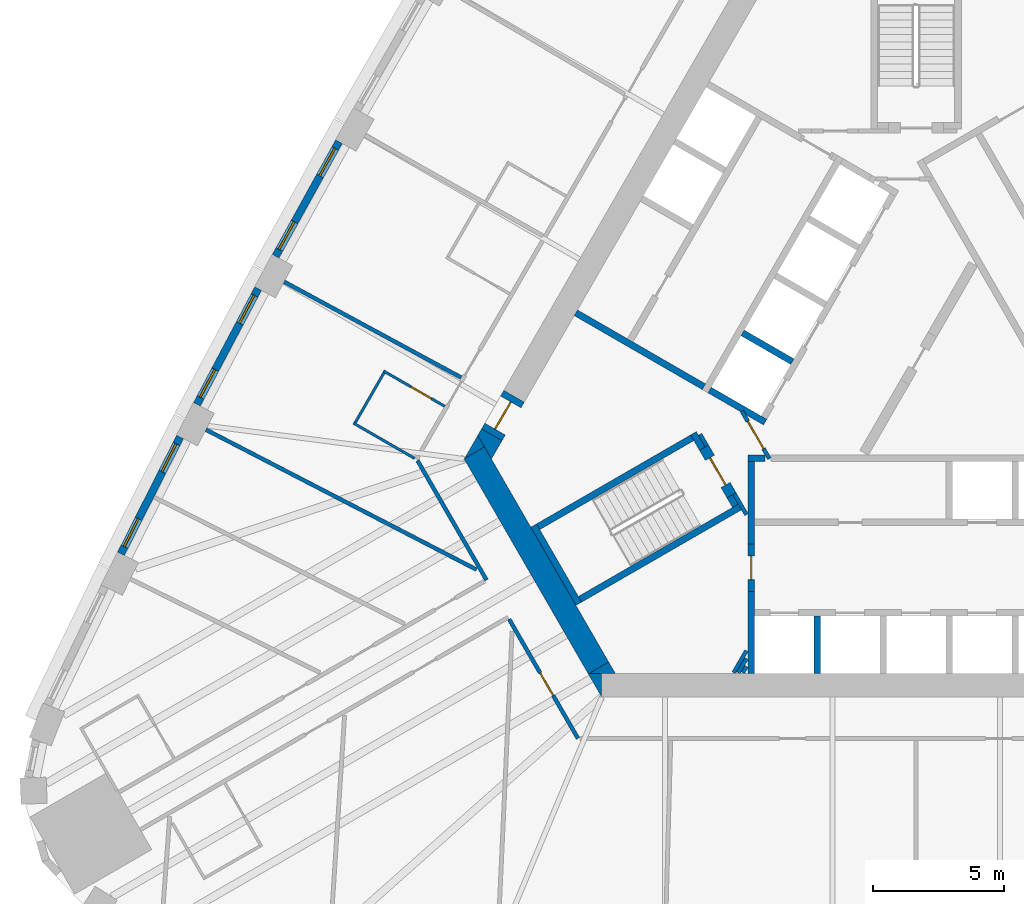
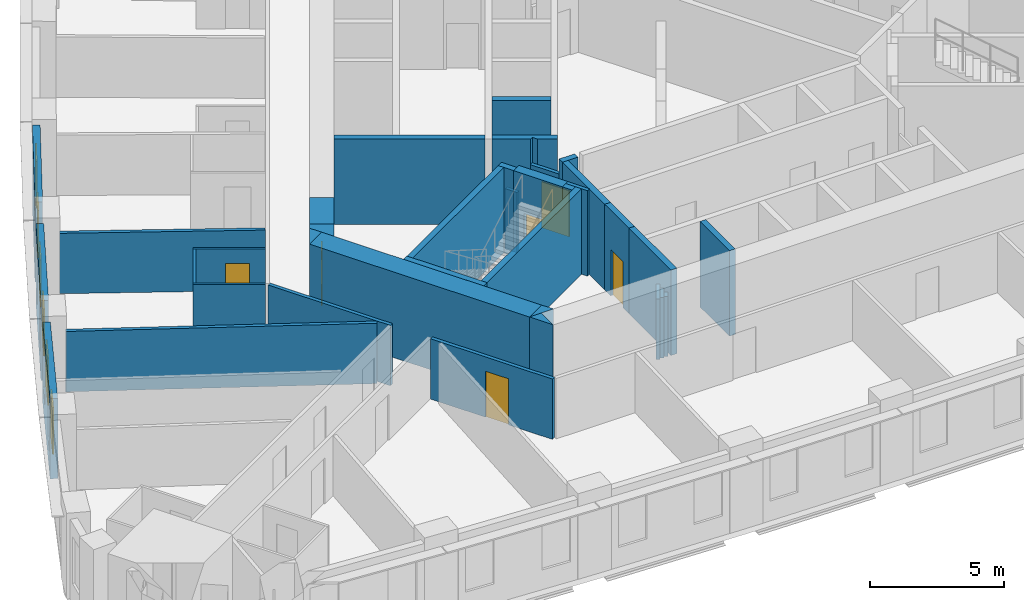
# One storey, part 4 of 12: 36 walls, 6 doors, 6 windows, 12 openings.
"""IFC4 building model written with IfcOpenShell, lengths in metres."""

from ifc_helpers import new_model, si_unit, direction, frame, frame_2d, origin, place, context, subcontext, project, spatial, polyline, rectangle, outline, extrude, material, layer, layer_set, type_object, element, fill, save


model = new_model("IFC4")

# Units and contexts
model_context = context("Model", 3, precision=1e-05, world=origin(), true_north=direction((0.0, 1.0)))
body_context = subcontext(model_context, "Body", "Model", "MODEL_VIEW")
ifc_project = project(units=[si_unit("LENGTHUNIT", "METRE"), si_unit("AREAUNIT", "SQUARE_METRE"), si_unit("VOLUMEUNIT", "CUBIC_METRE"), si_unit("PLANEANGLEUNIT", "RADIAN"), si_unit("MASSUNIT", "GRAM", prefix="KILO")], contexts=[model_context])

# Site, building, storey
site_placement = place(None, origin())
site = spatial("IfcSite", under=ifc_project, at=site_placement, CompositionType="ELEMENT")
building_placement = place(site_placement, origin())
building = spatial("IfcBuilding", under=site, at=building_placement, Name="Mestral Congress Tower", CompositionType="ELEMENT")
storey_placement = place(building_placement, frame((0.0, 0.0, 39.300048828125)))
storey = spatial("IfcBuildingStorey", under=building, at=storey_placement, Name="L08", CompositionType="ELEMENT", Elevation=39.300048828125)

# Walls
ifc_material_1 = material(Name="Fire-rated board partition")
ifc_layer_1 = layer(ifc_material_1, 0.14990234375)
ifc_layer_set_1 = layer_set([ifc_layer_1], Name="Fire-rated board partition")
wall_type_1 = type_object("IfcWallType", Name="Core partition 150", PredefinedType="PARTITIONING", material=ifc_layer_set_1)
wall_1_placement = place(storey_placement, frame((-6.967529296875, -12.068115234375, 0.0), z_axis=(0.0, 0.0, 1.0), x_axis=(0.49998975084, 0.866031321059, 0.0)))
element("IfcWall", 1, at=wall_1_placement, inside=storey, type_object=wall_type_1, Name="L08 core wall", PredefinedType="PARTITIONING", context=body_context, shape_type="SweptSolid", body=[
    extrude(rectangle(XDim=0.97509765625, YDim=0.14990234375, at=frame_2d((0.487548828125, 0.0))), origin(), (0.0, 0.0, 1.0), 2.75),
])
wall_2_placement = place(storey_placement, frame((-6.794189453125, -12.068115234375, 0.0), z_axis=(0.0, 0.0, 1.0), x_axis=(0.49985693963, 0.866107983974, 0.0)))
element("IfcWall", 2, at=wall_2_placement, inside=storey, type_object=wall_type_1, Name="L08 core wall", PredefinedType="PARTITIONING", context=body_context, shape_type="SweptSolid", body=[
    extrude(rectangle(XDim=0.628662109375, YDim=0.14990234375, at=frame_2d((0.314453125, 0.0))), origin(), (0.0, 0.0, 1.0), 2.75),
])
wall_3_placement = place(storey_placement, frame((-6.62109375, -12.068115234375, 0.0), z_axis=(0.0, 0.0, 1.0), x_axis=(0.500046963369, 0.865998287773, 0.0)))
element("IfcWall", 3, at=wall_3_placement, inside=storey, type_object=wall_type_1, Name="L08 core wall", PredefinedType="PARTITIONING", context=body_context, shape_type="SweptSolid", body=[
    extrude(rectangle(XDim=0.2822265625, YDim=0.14990234375, at=frame_2d((0.14111328125, 0.0))), origin(), (0.0, 0.0, 1.0), 2.75),
])
wall_4_placement = place(storey_placement, frame((-8.251953125, -2.958251953125, 0.0), z_axis=(0.0, 0.0, 1.0), x_axis=(0.500174715838, -0.865924508047, 0.0)))
element("IfcWall", 4, at=wall_4_placement, inside=storey, type_object=wall_type_1, Name="L08 core wall", PredefinedType="PARTITIONING", context=body_context, shape_type="SweptSolid", body=[
    extrude(rectangle(XDim=0.513916015625, YDim=0.14990234375, at=frame_2d((0.2568359375, 0.0))), origin(), (0.0, 0.0, 1.0), 2.75),
])

# Wall, opening, door
wall_5_placement = place(storey_placement, frame((-5.606201171875, -3.8896484375, 0.0), z_axis=(0.0, 0.0, 1.0), x_axis=(-0.500027713859, 0.866009402589, 0.0)))
wall_5 = element("IfcWall", 5, at=wall_5_placement, inside=storey, type_object=wall_type_1, Name="L08 door wall", PredefinedType="PARTITIONING", context=body_context, shape_type="SweptSolid", body=[
    extrude(rectangle(XDim=2.10009765625, YDim=0.14990234375, at=frame_2d((1.050048828125, 0.0))), origin(), (0.0, 0.0, 1.0), 2.75),
])
opening_1_placement = place(wall_5_placement, frame((0.449951171875, 0.0, 0.0)))
opening_1 = element("IfcOpeningElement", 6, at=opening_1_placement, cuts=wall_5, Name="Opening CD3-FF", PredefinedType="OPENING", context=body_context, shape_type="SweptSolid", body=[
    extrude(rectangle(XDim=1.199951171875, YDim=2.10009765625, at=frame_2d((0.60009765625, 1.050048828125))), frame((0.0, 0.0849609375, 0.0), z_axis=(0.0, -1.0, 0.0), x_axis=(1.0, 0.0, 0.0)), (0.0, 0.0, 1.0), 0.169921875),
])
ifc_material_2 = material(Name="Fire-rated steel door set", Category="steel")
door_type_1 = type_object("IfcDoorType", Name="Core door CD 1200x2100", OperationType="SINGLE_SWING_LEFT", PredefinedType="DOOR", material=ifc_material_2)
door_1_placement = place(opening_1_placement, origin())
door_1 = element("IfcDoor", 7, at=door_1_placement, inside=storey, type_object=door_type_1, Name="Door CD3-FF", OperationType="SINGLE_SWING_LEFT", OverallHeight=2.10009765625, OverallWidth=1.199951171875, PredefinedType="DOOR", context=body_context, shape_type="SweptSolid", body=[
    extrude(rectangle(XDim=1.199951171875, YDim=2.10009765625, at=frame_2d((0.60009765625, 1.050048828125))), frame((0.0, 0.02490234375, 0.0), z_axis=(0.0, -1.0, 0.0), x_axis=(1.0, 0.0, 0.0)), (0.0, 0.0, 1.0), 0.050048828125),
])
fill(opening_1, door_1)

# Walls
ifc_material_3 = material(Name="Concrete C60/75", Category="concrete")
ifc_layer_2 = layer(ifc_material_3, 0.89990234375)
ifc_layer_set_2 = layer_set([ifc_layer_2], Name="Concrete C60/75")
wall_type_2 = type_object("IfcWallType", Name="Core wall RC 900", PredefinedType="SOLIDWALL", material=ifc_layer_set_2)
placement = place(storey_placement, origin())
element("IfcWall", 8, at=placement, inside=storey, type_object=wall_type_2, Name="L08 core wall", PredefinedType="SOLIDWALL", context=body_context, shape_type="SweptSolid", body=[
    extrude(outline(polyline([(-12.528564453125, -12.10009765625), (-12.0205078125, -12.10009765625), (-12.0205078125, -12.97998046875), (-12.528564453125, -12.10009765625)])), origin(), (0.0, 0.0, 1.0), 3.89990234375),
])
wall_7_placement = place(storey_placement, frame((-12.134033203125, -11.88330078125, 0.0), z_axis=(0.0, 0.0, 1.0), x_axis=(-0.500005339912, 0.866022320763, 0.0)))
element("IfcWall", 9, at=wall_7_placement, inside=storey, type_object=wall_type_2, Name="L08 core wall", PredefinedType="SOLIDWALL", context=body_context, shape_type="SweptSolid", body=[
    extrude(rectangle(XDim=9.48779296875, YDim=0.89990234375, at=frame_2d((4.743896484375, 0.0))), origin(), (0.0, 0.0, 1.0), 3.89990234375),
])
element("IfcWall", 10, at=placement, inside=storey, type_object=wall_type_2, Name="L08 core wall", PredefinedType="SOLIDWALL", context=body_context, shape_type="SweptSolid", body=[
    extrude(outline(polyline([(-16.4892578125, -3.43994140625), (-17.251220703125, -3.8798828125), (-16.7431640625, -3.0), (-16.4892578125, -3.43994140625)])), origin(), (0.0, 0.0, 1.0), 3.89990234375),
])
element("IfcWall", 11, at=placement, inside=storey, type_object=wall_type_2, Name="L08 core wall", PredefinedType="SOLIDWALL", context=body_context, shape_type="SweptSolid", body=[
    extrude(outline(polyline([(-11.4892578125, -12.10009765625), (-12.50537109375, -12.10009765625), (-11.743408203125, -11.66015625), (-11.4892578125, -12.10009765625)])), origin(), (0.0, 0.0, 1.0), 3.89990234375),
])
element("IfcWall", 12, at=placement, inside=storey, type_object=wall_type_2, Name="L08 core wall", PredefinedType="SOLIDWALL", context=body_context, shape_type="SweptSolid", body=[
    extrude(outline(polyline([(-15.81982421875, -3.20068359375), (-16.223388671875, -3.89990234375), (-16.7431640625, -3.0), (-16.599365234375, -2.750732421875), (-15.81982421875, -3.20068359375)])), origin(), (0.0, 0.0, 1.0), 3.89990234375),
])

# Wall, opening, door
wall_11_placement = place(storey_placement, frame((-16.20947265625, -2.9755859375, 0.0), z_axis=(0.0, 0.0, 1.0), x_axis=(0.499954529098, 0.86605165483, 0.0)))
wall_11 = element("IfcWall", 13, at=wall_11_placement, inside=storey, type_object=wall_type_2, Name="L08 door wall", PredefinedType="SOLIDWALL", context=body_context, shape_type="SweptSolid", body=[
    extrude(rectangle(XDim=1.699951171875, YDim=0.89990234375, at=frame_2d((0.85009765625, 0.0))), origin(), (0.0, 0.0, 1.0), 3.89990234375),
])
opening_2_placement = place(wall_11_placement, frame((0.25, 0.0, 0.0)))
opening_2 = element("IfcOpeningElement", 14, at=opening_2_placement, cuts=wall_11, Name="Opening XD3", PredefinedType="OPENING", context=body_context, shape_type="SweptSolid", body=[
    extrude(rectangle(XDim=1.199951171875, YDim=2.10009765625, at=frame_2d((0.60009765625, 1.050048828125))), frame((0.0, 0.4599609375, 0.0), z_axis=(0.0, -1.0, 0.0), x_axis=(1.0, 0.0, 0.0)), (0.0, 0.0, 1.0), 0.919921875),
])
door_type_2 = type_object("IfcDoorType", Name="Core door XD 1200x2100", OperationType="SINGLE_SWING_LEFT", PredefinedType="DOOR", material=ifc_material_2)
door_2_placement = place(opening_2_placement, origin())
door_2 = element("IfcDoor", 15, at=door_2_placement, inside=storey, type_object=door_type_2, Name="Door XD3", OperationType="SINGLE_SWING_LEFT", OverallHeight=2.10009765625, OverallWidth=1.199951171875, PredefinedType="DOOR", context=body_context, shape_type="SweptSolid", body=[
    extrude(rectangle(XDim=1.199951171875, YDim=2.10009765625, at=frame_2d((0.60009765625, 1.050048828125))), frame((0.0, 0.02490234375, 0.0), z_axis=(0.0, -1.0, 0.0), x_axis=(1.0, 0.0, 0.0)), (0.0, 0.0, 1.0), 0.050048828125),
])
fill(opening_2, door_2)

# Wall, openings, windows
ifc_material_4 = material(Name="Precast concrete C40/50 with limestone facing", Category="masonry")
ifc_layer_3 = layer(ifc_material_4, 0.2900390625)
ifc_layer_set_3 = layer_set([ifc_layer_3], Name="Precast concrete C40/50 with limestone facing")
wall_type_3 = type_object("IfcWallType", Name="Facade stone wall 290", PredefinedType="SOLIDWALL", material=ifc_layer_set_3)
wall_12_placement = place(storey_placement, frame((-22.049560546875, 8.2197265625, 0.0), z_axis=(0.0, 0.0, 1.0), x_axis=(-0.483912572871, -0.875116347589, 0.0)))
wall_12 = element("IfcWall", 16, at=wall_12_placement, inside=storey, type_object=wall_type_3, Name="Facade wall F2-05", PredefinedType="SOLIDWALL", context=body_context, shape_type="SweptSolid", body=[
    extrude(rectangle(XDim=4.998291015625, YDim=0.2900390625, at=frame_2d((2.4990234375, 0.0))), origin(), (0.0, 0.0, 1.0), 3.64990234375),
])
opening_3_placement = place(wall_12_placement, frame((0.297119140625, 0.0, 0.89990234375)))
opening_3 = element("IfcOpeningElement", 17, at=opening_3_placement, cuts=wall_12, Name="Opening W1", PredefinedType="OPENING", context=body_context, shape_type="SweptSolid", body=[
    extrude(rectangle(XDim=1.199951171875, YDim=2.14990234375, at=frame_2d((0.60009765625, 1.074951171875))), frame((0.0, 0.155029296875, 0.0), z_axis=(0.0, -1.0, 0.0), x_axis=(1.0, 0.0, 0.0)), (0.0, 0.0, 1.0), 0.31005859375),
])
opening_4_placement = place(wall_12_placement, frame((3.501220703125, 0.0, 0.89990234375)))
opening_4 = element("IfcOpeningElement", 18, at=opening_4_placement, cuts=wall_12, Name="Opening W1", PredefinedType="OPENING", context=body_context, shape_type="SweptSolid", body=[
    extrude(rectangle(XDim=1.199951171875, YDim=2.14990234375, at=frame_2d((0.60009765625, 1.074951171875))), frame((0.0, 0.155029296875, 0.0), z_axis=(0.0, -1.0, 0.0), x_axis=(1.0, 0.0, 0.0)), (0.0, 0.0, 1.0), 0.31005859375),
])
ifc_material_5 = material(Name="Clear low-emissivity double glazing", Category="glass")
window_type = type_object("IfcWindowType", Name="Facade punched window 1200 x 2150 sill 900", PartitioningType="DOUBLE_PANEL_VERTICAL", PredefinedType="WINDOW", material=ifc_material_5)
window_1_placement = place(opening_3_placement, origin())
window_1 = element("IfcWindow", 19, at=window_1_placement, inside=storey, type_object=window_type, Name="Window F2-05a", OverallHeight=2.14990234375, OverallWidth=1.199951171875, PartitioningType="DOUBLE_PANEL_VERTICAL", PredefinedType="WINDOW", context=body_context, shape_type="SweptSolid", body=[
    extrude(rectangle(XDim=1.199951171875, YDim=2.14990234375, at=frame_2d((0.60009765625, 1.074951171875))), frame((0.0, 0.01513671875, 0.0), z_axis=(0.0, -1.0, 0.0), x_axis=(1.0, 0.0, 0.0)), (0.0, 0.0, 1.0), 0.06005859375),
])
fill(opening_3, window_1)
window_2_placement = place(opening_4_placement, origin())
window_2 = element("IfcWindow", 20, at=window_2_placement, inside=storey, type_object=window_type, Name="Window F2-05b", OverallHeight=2.14990234375, OverallWidth=1.199951171875, PartitioningType="DOUBLE_PANEL_VERTICAL", PredefinedType="WINDOW", context=body_context, shape_type="SweptSolid", body=[
    extrude(rectangle(XDim=1.199951171875, YDim=2.14990234375, at=frame_2d((0.60009765625, 1.074951171875))), frame((0.0, 0.01513671875, 0.0), z_axis=(0.0, -1.0, 0.0), x_axis=(1.0, 0.0, 0.0)), (0.0, 0.0, 1.0), 0.06005859375),
])
fill(opening_4, window_2)

wall_13_placement = place(storey_placement, frame((-25.1376953125, 2.60791015625, 0.0), z_axis=(0.0, 0.0, 1.0), x_axis=(-0.467629620899, -0.883924509026, 0.0)))
wall_13 = element("IfcWall", 21, at=wall_13_placement, inside=storey, type_object=wall_type_3, Name="Facade wall F2-06", PredefinedType="SOLIDWALL", context=body_context, shape_type="SweptSolid", body=[
    extrude(rectangle(XDim=4.998291015625, YDim=0.2900390625, at=frame_2d((2.4990234375, 0.0))), origin(), (0.0, 0.0, 1.0), 3.64990234375),
])
opening_5_placement = place(wall_13_placement, frame((0.297119140625, 0.0, 0.89990234375)))
opening_5 = element("IfcOpeningElement", 22, at=opening_5_placement, cuts=wall_13, Name="Opening W1", PredefinedType="OPENING", context=body_context, shape_type="SweptSolid", body=[
    extrude(rectangle(XDim=1.199951171875, YDim=2.14990234375, at=frame_2d((0.60009765625, 1.074951171875))), frame((0.0, 0.155029296875, 0.0), z_axis=(0.0, -1.0, 0.0), x_axis=(1.0, 0.0, 0.0)), (0.0, 0.0, 1.0), 0.31005859375),
])
opening_6_placement = place(wall_13_placement, frame((3.501220703125, 0.0, 0.89990234375)))
opening_6 = element("IfcOpeningElement", 23, at=opening_6_placement, cuts=wall_13, Name="Opening W1", PredefinedType="OPENING", context=body_context, shape_type="SweptSolid", body=[
    extrude(rectangle(XDim=1.199951171875, YDim=2.14990234375, at=frame_2d((0.60009765625, 1.074951171875))), frame((0.0, 0.155029296875, 0.0), z_axis=(0.0, -1.0, 0.0), x_axis=(1.0, 0.0, 0.0)), (0.0, 0.0, 1.0), 0.31005859375),
])
window_3_placement = place(opening_5_placement, origin())
window_3 = element("IfcWindow", 24, at=window_3_placement, inside=storey, type_object=window_type, Name="Window F2-06a", OverallHeight=2.14990234375, OverallWidth=1.199951171875, PartitioningType="DOUBLE_PANEL_VERTICAL", PredefinedType="WINDOW", context=body_context, shape_type="SweptSolid", body=[
    extrude(rectangle(XDim=1.199951171875, YDim=2.14990234375, at=frame_2d((0.60009765625, 1.074951171875))), frame((0.0, 0.01513671875, 0.0), z_axis=(0.0, -1.0, 0.0), x_axis=(1.0, 0.0, 0.0)), (0.0, 0.0, 1.0), 0.06005859375),
])
fill(opening_5, window_3)
window_4_placement = place(opening_6_placement, origin())
window_4 = element("IfcWindow", 25, at=window_4_placement, inside=storey, type_object=window_type, Name="Window F2-06b", OverallHeight=2.14990234375, OverallWidth=1.199951171875, PartitioningType="DOUBLE_PANEL_VERTICAL", PredefinedType="WINDOW", context=body_context, shape_type="SweptSolid", body=[
    extrude(rectangle(XDim=1.199951171875, YDim=2.14990234375, at=frame_2d((0.60009765625, 1.074951171875))), frame((0.0, 0.01513671875, 0.0), z_axis=(0.0, -1.0, 0.0), x_axis=(1.0, 0.0, 0.0)), (0.0, 0.0, 1.0), 0.06005859375),
])
fill(opening_6, window_4)

wall_14_placement = place(storey_placement, frame((-28.12158203125, -3.06005859375, 0.0), z_axis=(0.0, 0.0, 1.0), x_axis=(-0.451233929645, -0.892405704115, 0.0)))
wall_14 = element("IfcWall", 26, at=wall_14_placement, inside=storey, type_object=wall_type_3, Name="Facade wall F2-07", PredefinedType="SOLIDWALL", context=body_context, shape_type="SweptSolid", body=[
    extrude(rectangle(XDim=4.998291015625, YDim=0.2900390625, at=frame_2d((2.4990234375, 0.0))), origin(), (0.0, 0.0, 1.0), 3.64990234375),
])
opening_7_placement = place(wall_14_placement, frame((0.297119140625, 0.0, 0.89990234375)))
opening_7 = element("IfcOpeningElement", 27, at=opening_7_placement, cuts=wall_14, Name="Opening W1", PredefinedType="OPENING", context=body_context, shape_type="SweptSolid", body=[
    extrude(rectangle(XDim=1.199951171875, YDim=2.14990234375, at=frame_2d((0.60009765625, 1.074951171875))), frame((0.0, 0.155029296875, 0.0), z_axis=(0.0, -1.0, 0.0), x_axis=(1.0, 0.0, 0.0)), (0.0, 0.0, 1.0), 0.31005859375),
])
opening_8_placement = place(wall_14_placement, frame((3.501220703125, 0.0, 0.89990234375)))
opening_8 = element("IfcOpeningElement", 28, at=opening_8_placement, cuts=wall_14, Name="Opening W1", PredefinedType="OPENING", context=body_context, shape_type="SweptSolid", body=[
    extrude(rectangle(XDim=1.199951171875, YDim=2.14990234375, at=frame_2d((0.60009765625, 1.074951171875))), frame((0.0, 0.155029296875, 0.0), z_axis=(0.0, -1.0, 0.0), x_axis=(1.0, 0.0, 0.0)), (0.0, 0.0, 1.0), 0.31005859375),
])
window_5_placement = place(opening_7_placement, origin())
window_5 = element("IfcWindow", 29, at=window_5_placement, inside=storey, type_object=window_type, Name="Window F2-07a", OverallHeight=2.14990234375, OverallWidth=1.199951171875, PartitioningType="DOUBLE_PANEL_VERTICAL", PredefinedType="WINDOW", context=body_context, shape_type="SweptSolid", body=[
    extrude(rectangle(XDim=1.199951171875, YDim=2.14990234375, at=frame_2d((0.60009765625, 1.074951171875))), frame((0.0, 0.01513671875, 0.0), z_axis=(0.0, -1.0, 0.0), x_axis=(1.0, 0.0, 0.0)), (0.0, 0.0, 1.0), 0.06005859375),
])
fill(opening_7, window_5)
window_6_placement = place(opening_8_placement, origin())
window_6 = element("IfcWindow", 30, at=window_6_placement, inside=storey, type_object=window_type, Name="Window F2-07b", OverallHeight=2.14990234375, OverallWidth=1.199951171875, PartitioningType="DOUBLE_PANEL_VERTICAL", PredefinedType="WINDOW", context=body_context, shape_type="SweptSolid", body=[
    extrude(rectangle(XDim=1.199951171875, YDim=2.14990234375, at=frame_2d((0.60009765625, 1.074951171875))), frame((0.0, 0.01513671875, 0.0), z_axis=(0.0, -1.0, 0.0), x_axis=(1.0, 0.0, 0.0)), (0.0, 0.0, 1.0), 0.06005859375),
])
fill(opening_8, window_6)

# Wall, opening, door
ifc_material_6 = material(Name="Gypsum board partition on metal studs with mineral wool", Category="composite")
ifc_layer_4 = layer(ifc_material_6, 0.10009765625)
ifc_layer_set_4 = layer_set([ifc_layer_4], Name="Gypsum board partition on metal studs with mineral wool")
wall_type_4 = type_object("IfcWallType", Name="Hotel partition wall 100", PredefinedType="PARTITIONING", material=ifc_layer_set_4)
wall_15_placement = place(storey_placement, frame((-18.00634765625, -1.887939453125, 0.0), z_axis=(0.0, 0.0, 1.0), x_axis=(-0.866036505625, 0.499980770555, 0.0)))
wall_15 = element("IfcWall", 31, at=wall_15_placement, inside=storey, type_object=wall_type_4, Name="L08-h-pod24a", PredefinedType="PARTITIONING", context=body_context, shape_type="SweptSolid", body=[
    extrude(rectangle(XDim=2.69970703125, YDim=0.10009765625, at=frame_2d((1.349853515625, 0.0))), origin(), (0.0, 0.0, 1.0), 2.75),
])
opening_9_placement = place(wall_15_placement, frame((0.60009765625, 0.0, 0.0)))
opening_9 = element("IfcOpeningElement", 32, at=opening_9_placement, cuts=wall_15, Name="Opening H02-040", PredefinedType="OPENING", context=body_context, shape_type="SweptSolid", body=[
    extrude(rectangle(XDim=0.89990234375, YDim=2.10009765625, at=frame_2d((0.449951171875, 1.050048828125))), frame((0.0, 0.06005859375, 0.0), z_axis=(0.0, -1.0, 0.0), x_axis=(1.0, 0.0, 0.0)), (0.0, 0.0, 1.0), 0.1201171875),
])
ifc_material_7 = material(Name="Timber veneer door leaf in timber frame", Category="wood")
door_type_3 = type_object("IfcDoorType", Name="Bathroom door 900", OperationType="SINGLE_SWING_LEFT", PredefinedType="DOOR", material=ifc_material_7)
door_3_placement = place(opening_9_placement, origin())
door_3 = element("IfcDoor", 33, at=door_3_placement, inside=storey, type_object=door_type_3, Name="L08-h-d040", OperationType="SINGLE_SWING_RIGHT", OverallHeight=2.10009765625, OverallWidth=0.89990234375, PredefinedType="DOOR", context=body_context, shape_type="SweptSolid", body=[
    extrude(rectangle(XDim=0.89990234375, YDim=2.10009765625, at=frame_2d((0.449951171875, 1.050048828125))), frame((0.0, 0.02490234375, 0.0), z_axis=(0.0, -1.0, 0.0), x_axis=(1.0, 0.0, 0.0)), (0.0, 0.0, 1.0), 0.050048828125),
])
fill(opening_9, door_3)

# Walls
wall_16_placement = place(storey_placement, frame((-20.326416015625, -0.606201171875, 0.0), z_axis=(0.0, 0.0, 1.0), x_axis=(-0.499946605688, -0.86605622881, 0.0)))
element("IfcWall", 34, at=wall_16_placement, inside=storey, type_object=wall_type_4, Name="L08-h-pod24b", PredefinedType="PARTITIONING", context=body_context, shape_type="SweptSolid", body=[
    extrude(rectangle(XDim=2.199951171875, YDim=0.10009765625, at=frame_2d((1.10009765625, 0.0))), origin(), (0.0, 0.0, 1.0), 2.75),
])
wall_17_placement = place(storey_placement, frame((-19.156494140625, -3.8798828125, 0.0), z_axis=(0.0, 0.0, 1.0), x_axis=(-0.86599734893, 0.500048589285, 0.0)))
element("IfcWall", 35, at=wall_17_placement, inside=storey, type_object=wall_type_4, Name="L08-h-pod24c", PredefinedType="PARTITIONING", context=body_context, shape_type="SweptSolid", body=[
    extrude(rectangle(XDim=2.699951171875, YDim=0.10009765625, at=frame_2d((1.35009765625, 0.0))), origin(), (0.0, 0.0, 1.0), 2.75),
])
ifc_layer_5 = layer(ifc_material_6, 0.14990234375)
ifc_layer_set_5 = layer_set([ifc_layer_5], Name="Gypsum board partition on metal studs with mineral wool")
wall_type_5 = type_object("IfcWallType", Name="Hotel partition wall 150", PredefinedType="PARTITIONING", material=ifc_layer_set_5)
wall_18_placement = place(storey_placement, frame((-16.412353515625, -8.52294921875, 0.0), z_axis=(0.0, 0.0, 1.0), x_axis=(-0.500001929737, 0.866024289647, 0.0)))
element("IfcWall", 36, at=wall_18_placement, inside=storey, type_object=wall_type_5, Name="L08-h-cw09", PredefinedType="PARTITIONING", context=body_context, shape_type="SweptSolid", body=[
    extrude(rectangle(XDim=5.26806640625, YDim=0.14990234375, at=frame_2d((2.634033203125, 0.0))), origin(), (0.0, 0.0, 1.0), 2.75),
])

# Wall, opening, door
wall_19_placement = place(storey_placement, frame((-12.918212890625, -14.574951171875, 0.0), z_axis=(0.0, 0.0, 1.0), x_axis=(-0.500009150678, 0.866020120573, 0.0)))
wall_19 = element("IfcWall", 37, at=wall_19_placement, inside=storey, type_object=wall_type_5, Name="L08-h-cw12", PredefinedType="PARTITIONING", context=body_context, shape_type="SweptSolid", body=[
    extrude(rectangle(XDim=5.25830078125, YDim=0.14990234375, at=frame_2d((2.629150390625, 0.0))), origin(), (0.0, 0.0, 1.0), 2.75),
])
opening_10_placement = place(wall_19_placement, frame((1.88818359375, 0.0, 0.0)))
opening_10 = element("IfcOpeningElement", 38, at=opening_10_placement, cuts=wall_19, Name="Opening H02-004", PredefinedType="OPENING", context=body_context, shape_type="SweptSolid", body=[
    extrude(rectangle(XDim=1.0, YDim=2.10009765625, at=frame_2d((0.5, 1.050048828125))), frame((0.0, 0.0849609375, 0.0), z_axis=(0.0, -1.0, 0.0), x_axis=(1.0, 0.0, 0.0)), (0.0, 0.0, 1.0), 0.169921875),
])
ifc_material_8 = material(Name="Timber veneer door leaf in metal frame", Category="wood")
door_type_4 = type_object("IfcDoorType", Name="Guest room entrance door 1000", OperationType="SINGLE_SWING_LEFT", PredefinedType="DOOR", material=ifc_material_8)
door_4_placement = place(opening_10_placement, origin())
door_4 = element("IfcDoor", 39, at=door_4_placement, inside=storey, type_object=door_type_4, Name="L08-h-d004", OperationType="SINGLE_SWING_LEFT", OverallHeight=2.10009765625, OverallWidth=1.0, PredefinedType="DOOR", context=body_context, shape_type="SweptSolid", body=[
    extrude(rectangle(XDim=1.0, YDim=2.10009765625, at=frame_2d((0.5, 1.050048828125))), frame((0.0, 0.02490234375, 0.0), z_axis=(0.0, -1.0, 0.0), x_axis=(1.0, 0.0, 0.0)), (0.0, 0.0, 1.0), 0.050048828125),
])
fill(opening_10, door_4)

# Walls
wall_20_placement = place(storey_placement, frame((-24.14453125, 2.87060546875, 0.0), z_axis=(0.0, 0.0, 1.0), x_axis=(0.879551725039, -0.475803281809, 0.0)))
element("IfcWall", 40, at=wall_20_placement, inside=storey, type_object=wall_type_5, Name="L08-h-pw05", PredefinedType="PARTITIONING", context=body_context, shape_type="SweptSolid", body=[
    extrude(rectangle(XDim=7.68798828125, YDim=0.14990234375, at=frame_2d((3.843994140625, 0.0))), origin(), (0.0, 0.0, 1.0), 2.75),
])
wall_21_placement = place(storey_placement, frame((-27.133544921875, -2.779052734375, 0.0), z_axis=(0.0, 0.0, 1.0), x_axis=(0.8882049501, -0.459447457951, 0.0)))
element("IfcWall", 41, at=wall_21_placement, inside=storey, type_object=wall_type_5, Name="L08-h-pw06", PredefinedType="PARTITIONING", context=body_context, shape_type="SweptSolid", body=[
    extrude(rectangle(XDim=11.63818359375, YDim=0.14990234375, at=frame_2d((5.819091796875, 0.0))), origin(), (0.0, 0.0, 1.0), 2.75),
])
ifc_layer_6 = layer(ifc_material_3, 0.25)
ifc_layer_set_6 = layer_set([ifc_layer_6], Name="Concrete C60/75")
wall_type_6 = type_object("IfcWallType", Name="Shaft wall RC 250", PredefinedType="SOLIDWALL", material=ifc_layer_set_6)
wall_22_placement = place(storey_placement, frame((-3.780029296875, -12.10009765625, 0.0), z_axis=(0.0, 0.0, 1.0), x_axis=(0.0, 1.0, 0.0)))
element("IfcWall", 42, at=wall_22_placement, inside=storey, type_object=wall_type_6, Name="L08 core wall", PredefinedType="SOLIDWALL", context=body_context, shape_type="SweptSolid", body=[
    extrude(rectangle(XDim=2.199951171875, YDim=0.25, at=frame_2d((1.10009765625, 0.0))), origin(), (0.0, 0.0, 1.0), 3.89990234375),
])
wall_23_placement = place(storey_placement, frame((-6.300048828125, -12.10009765625, 0.0), z_axis=(0.0, 0.0, 1.0), x_axis=(0.0, 1.0, 0.0)))
element("IfcWall", 43, at=wall_23_placement, inside=storey, type_object=wall_type_6, Name="L08 core wall", PredefinedType="SOLIDWALL", context=body_context, shape_type="SweptSolid", body=[
    extrude(rectangle(XDim=3.1455078125, YDim=0.25, at=frame_2d((1.57275390625, 0.0))), origin(), (0.0, 0.0, 1.0), 3.89990234375),
])
wall_24_placement = place(storey_placement, frame((-6.425048828125, -3.875, 0.0), z_axis=(0.0, 0.0, 1.0), x_axis=(1.0, 0.0, 0.0)))
element("IfcWall", 44, at=wall_24_placement, inside=storey, type_object=wall_type_6, Name="L08 core wall", PredefinedType="SOLIDWALL", context=body_context, shape_type="SweptSolid", body=[
    extrude(rectangle(XDim=0.657958984375, YDim=0.25, at=frame_2d((0.3291015625, 0.0))), origin(), (0.0, 0.0, 1.0), 3.89990234375),
])
wall_25_placement = place(storey_placement, frame((-6.300048828125, -4.0, 0.0), z_axis=(0.0, 0.0, 1.0), x_axis=(0.0, -1.0, 0.0)))
element("IfcWall", 45, at=wall_25_placement, inside=storey, type_object=wall_type_6, Name="L08 core wall", PredefinedType="SOLIDWALL", context=body_context, shape_type="SweptSolid", body=[
    extrude(rectangle(XDim=3.154296875, YDim=0.25, at=frame_2d((1.5771484375, 0.0))), origin(), (0.0, 0.0, 1.0), 3.89990234375),
])
wall_26_placement = place(storey_placement, frame((-4.72412109375, -0.182373046875, 0.0), z_axis=(0.0, 0.0, 1.0), x_axis=(-0.866008176907, 0.50002983664, 0.0)))
element("IfcWall", 46, at=wall_26_placement, inside=storey, type_object=wall_type_6, Name="L08 core wall", PredefinedType="SOLIDWALL", context=body_context, shape_type="SweptSolid", body=[
    extrude(rectangle(XDim=2.199951171875, YDim=0.25, at=frame_2d((1.10009765625, 0.0))), origin(), (0.0, 0.0, 1.0), 3.89990234375),
])
element("IfcWall", 47, at=placement, inside=storey, type_object=wall_type_6, Name="L08 core wall", PredefinedType="SOLIDWALL", context=body_context, shape_type="SweptSolid", body=[
    extrude(outline(polyline([(-5.921630859375, -2.256591796875), (-5.921630859375, -2.256591796875), (-5.705078125, -2.381591796875), (-5.830078125, -2.597900390625), (-6.48291015625, -2.22119140625), (-6.59130859375, -2.033447265625), (-6.59130859375, -2.033447265625), (-6.69970703125, -2.095947265625), (-7.951904296875, -1.373046875), (-7.826904296875, -1.156494140625), (-5.921630859375, -2.256591796875)])), origin(), (0.0, 0.0, 1.0), 3.89990234375),
])
wall_28_placement = place(storey_placement, frame((-8.10595703125, -1.139892578125, 0.0), z_axis=(0.0, 0.0, 1.0), x_axis=(-0.866000643155, 0.500042884217, 0.0)))
element("IfcWall", 48, at=wall_28_placement, inside=storey, type_object=wall_type_6, Name="L08 core wall", PredefinedType="SOLIDWALL", context=body_context, shape_type="SweptSolid", body=[
    extrude(rectangle(XDim=5.64990234375, YDim=0.25, at=frame_2d((2.824951171875, 0.0))), origin(), (0.0, 0.0, 1.0), 3.89990234375),
])

# Wall, opening, door
wall_29_placement = place(storey_placement, frame((-6.300048828125, -7.154296875, 0.0), z_axis=(0.0, 0.0, 1.0), x_axis=(0.0, -1.0, 0.0)))
wall_29 = element("IfcWall", 49, at=wall_29_placement, inside=storey, type_object=wall_type_6, Name="L08 door wall", PredefinedType="SOLIDWALL", context=body_context, shape_type="SweptSolid", body=[
    extrude(rectangle(XDim=1.800048828125, YDim=0.25, at=frame_2d((0.89990234375, 0.0))), origin(), (0.0, 0.0, 1.0), 3.89990234375),
])
opening_11_placement = place(wall_29_placement, frame((0.449951171875, 0.0, 0.0)))
opening_11 = element("IfcOpeningElement", 50, at=opening_11_placement, cuts=wall_29, Name="Opening TD3", PredefinedType="OPENING", context=body_context, shape_type="SweptSolid", body=[
    extrude(rectangle(XDim=0.89990234375, YDim=2.10009765625, at=frame_2d((0.449951171875, 1.050048828125))), frame((0.0, 0.135009765625, 0.0), z_axis=(0.0, -1.0, 0.0), x_axis=(1.0, 0.0, 0.0)), (0.0, 0.0, 1.0), 0.27001953125),
])
door_type_5 = type_object("IfcDoorType", Name="Core door SR 900x2100", OperationType="SINGLE_SWING_LEFT", PredefinedType="DOOR", material=ifc_material_2)
door_5_placement = place(opening_11_placement, origin())
door_5 = element("IfcDoor", 51, at=door_5_placement, inside=storey, type_object=door_type_5, Name="Door TD3", OperationType="SINGLE_SWING_LEFT", OverallHeight=2.10009765625, OverallWidth=0.89990234375, PredefinedType="DOOR", context=body_context, shape_type="SweptSolid", body=[
    extrude(rectangle(XDim=0.89990234375, YDim=2.10009765625, at=frame_2d((0.449951171875, 1.050048828125))), frame((0.0, 0.02490234375, 0.0), z_axis=(0.0, -1.0, 0.0), x_axis=(1.0, 0.0, 0.0)), (0.0, 0.0, 1.0), 0.050048828125),
])
fill(opening_11, door_5)

# Walls
ifc_layer_7 = layer(ifc_material_3, 0.14990234375)
ifc_layer_set_7 = layer_set([ifc_layer_7], Name="Concrete C60/75")
wall_type_7 = type_object("IfcWallType", Name="Shaft wall RC 250 door-wall 150", PredefinedType="SOLIDWALL", material=ifc_layer_set_7)
wall_30_placement = place(storey_placement, frame((-6.48046875, -6.026611328125, 0.0), z_axis=(0.0, 0.0, 1.0), x_axis=(-0.499927229454, 0.866067413802, 0.0)))
element("IfcWall", 52, at=wall_30_placement, inside=storey, type_object=wall_type_7, Name="L08 core wall", PredefinedType="PARTITIONING", context=body_context, shape_type="SweptSolid", body=[
    extrude(rectangle(XDim=0.928955078125, YDim=0.14990234375, at=frame_2d((0.46435546875, 0.0))), origin(), (0.0, 0.0, 1.0), 3.89990234375),
])
ifc_layer_8 = layer(ifc_material_3, 0.25)
ifc_layer_set_8 = layer_set([ifc_layer_8], Name="Concrete C60/75")
wall_type_8 = type_object("IfcWallType", Name="Stair wall RC 250", PredefinedType="SOLIDWALL", material=ifc_layer_set_8)
wall_31_placement = place(storey_placement, frame((-12.885498046875, -9.431396484375, 0.0), z_axis=(0.0, 0.0, 1.0), x_axis=(-0.500020560727, 0.866013532718, 0.0)))
element("IfcWall", 53, at=wall_31_placement, inside=storey, type_object=wall_type_8, Name="L08 core wall", PredefinedType="SOLIDWALL", context=body_context, shape_type="SweptSolid", body=[
    extrude(rectangle(XDim=3.449951171875, YDim=0.25, at=frame_2d((1.72509765625, 0.0))), origin(), (0.0, 0.0, 1.0), 3.89990234375),
])
wall_32_placement = place(storey_placement, frame((-14.43994140625, -6.489501953125, 0.0), z_axis=(0.0, 0.0, 1.0), x_axis=(0.866022966069, 0.500004222222, 0.0)))
element("IfcWall", 54, at=wall_32_placement, inside=storey, type_object=wall_type_8, Name="L08 core wall", PredefinedType="SOLIDWALL", context=body_context, shape_type="SweptSolid", body=[
    extrude(rectangle(XDim=6.80029296875, YDim=0.25, at=frame_2d((3.400146484375, 0.0))), origin(), (0.0, 0.0, 1.0), 3.89990234375),
])
wall_33_placement = place(storey_placement, frame((-8.167724609375, -3.503173828125, 0.0), z_axis=(0.0, 0.0, 1.0), x_axis=(-0.499952099219, 0.866053057547, 0.0)))
element("IfcWall", 55, at=wall_33_placement, inside=storey, type_object=wall_type_8, Name="L08 core wall", PredefinedType="SOLIDWALL", context=body_context, shape_type="SweptSolid", body=[
    extrude(rectangle(XDim=0.6748046875, YDim=0.25, at=frame_2d((0.33740234375, 0.0))), origin(), (0.0, 0.0, 1.0), 3.89990234375),
])
wall_34_placement = place(storey_placement, frame((-12.83984375, -9.2607421875, 0.0), z_axis=(0.0, 0.0, 1.0), x_axis=(0.866016039709, 0.500016218704, 0.0)))
element("IfcWall", 56, at=wall_34_placement, inside=storey, type_object=wall_type_8, Name="L08 core wall", PredefinedType="SOLIDWALL", context=body_context, shape_type="SweptSolid", body=[
    extrude(rectangle(XDim=7.050048828125, YDim=0.25, at=frame_2d((3.52490234375, 0.0))), origin(), (0.0, 0.0, 1.0), 3.89990234375),
])
wall_35_placement = place(storey_placement, frame((-6.905029296875, -5.68994140625, 0.0), z_axis=(0.0, 0.0, 1.0), x_axis=(-0.500402024738, 0.865793170242, 0.0)))
element("IfcWall", 57, at=wall_35_placement, inside=storey, type_object=wall_type_8, Name="L08 core wall", PredefinedType="SOLIDWALL", context=body_context, shape_type="SweptSolid", body=[
    extrude(rectangle(XDim=0.425048828125, YDim=0.25, at=frame_2d((0.21240234375, 0.0))), origin(), (0.0, 0.0, 1.0), 3.89990234375),
])

# Wall, opening, door
ifc_layer_9 = layer(ifc_material_3, 0.39990234375)
ifc_layer_set_9 = layer_set([ifc_layer_9], Name="Concrete C60/75")
wall_type_9 = type_object("IfcWallType", Name="Stair wall RC 250 door-wall 400", PredefinedType="SOLIDWALL", material=ifc_layer_set_9)
wall_36_placement = place(storey_placement, frame((-8.102783203125, -3.4658203125, 0.0), z_axis=(0.0, 0.0, 1.0), x_axis=(0.500078061341, -0.865980330357, 0.0)))
wall_36 = element("IfcWall", 58, at=wall_36_placement, inside=storey, type_object=wall_type_9, Name="L08 door wall", PredefinedType="SOLIDWALL", context=body_context, shape_type="SweptSolid", body=[
    extrude(rectangle(XDim=2.099853515625, YDim=0.39990234375, at=frame_2d((1.0498046875, 0.0))), origin(), (0.0, 0.0, 1.0), 3.89990234375),
])
opening_12_placement = place(wall_36_placement, frame((0.449951171875, 0.0, 0.0)))
opening_12 = element("IfcOpeningElement", 59, at=opening_12_placement, cuts=wall_36, Name="Opening ST-D3", PredefinedType="OPENING", context=body_context, shape_type="SweptSolid", body=[
    extrude(rectangle(XDim=1.199951171875, YDim=2.10009765625, at=frame_2d((0.60009765625, 1.050048828125))), frame((0.0, 0.2099609375, 0.0), z_axis=(0.0, -1.0, 0.0), x_axis=(1.0, 0.0, 0.0)), (0.0, 0.0, 1.0), 0.419921875),
])
door_type_6 = type_object("IfcDoorType", Name="Core door ST 1200x2100", OperationType="SINGLE_SWING_LEFT", PredefinedType="DOOR", material=ifc_material_2)
door_6_placement = place(opening_12_placement, origin())
door_6 = element("IfcDoor", 60, at=door_6_placement, inside=storey, type_object=door_type_6, Name="Door ST-D3", OperationType="SINGLE_SWING_LEFT", OverallHeight=2.10009765625, OverallWidth=1.199951171875, PredefinedType="DOOR", context=body_context, shape_type="SweptSolid", body=[
    extrude(rectangle(XDim=1.199951171875, YDim=2.10009765625, at=frame_2d((0.60009765625, 1.050048828125))), frame((0.0, 0.02490234375, 0.0), z_axis=(0.0, -1.0, 0.0), x_axis=(1.0, 0.0, 0.0)), (0.0, 0.0, 1.0), 0.050048828125),
])
fill(opening_12, door_6)

save(model, "model.ifc")
